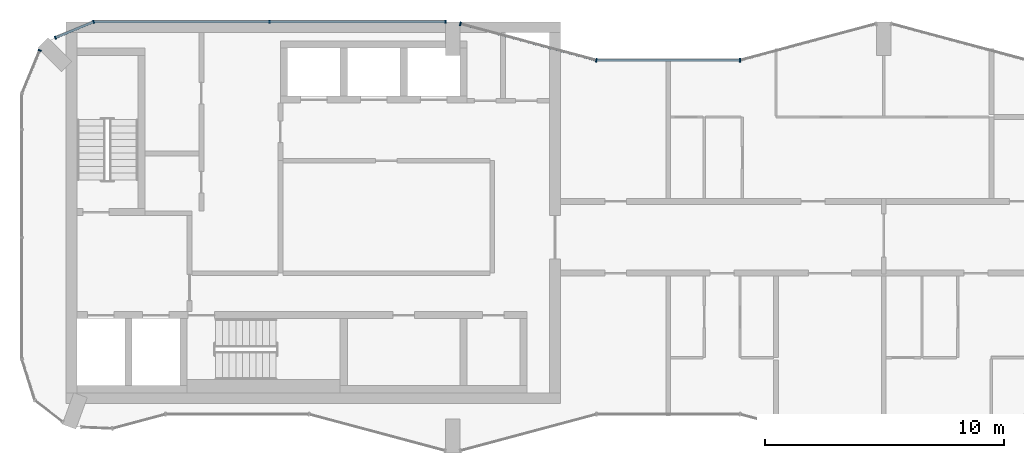
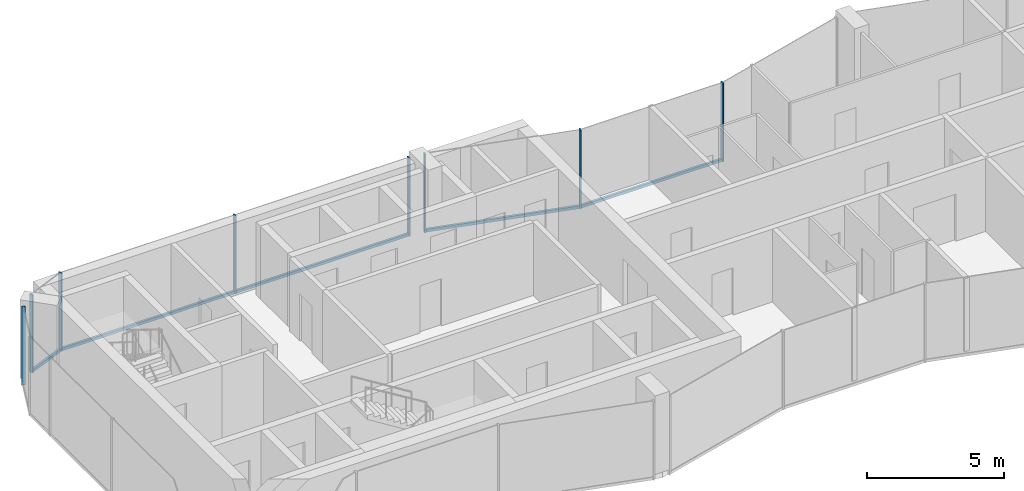
# One storey, part 4 of 10: 12 members, 5 elements without a shape of their own.
"""IFC4 building model written with IfcOpenShell, lengths in metres."""

import ifcopenshell
import ifcopenshell.guid

model = None  # the IFC model being written
_history = None  # IfcOwnerHistory: only IFC2X3 demands one
_inside = {}  # id of a spatial element -> (the spatial element, [elements in it])
_under = {}  # id of a project, library or spatial element -> (it, [spatial elements below it])
_declared = {}  # id of a project -> (the project, [libraries it declares])
_typed = {}  # id of a type object -> (the type object, [elements of that type])
_made_of = {}  # id of a material, layer set ... -> (it, [elements and type objects made of it])


def new_model(schema):
    """Start an empty IFC model of exactly this schema.

    Asked for "IFC4X3", IfcOpenShell would pick the latest addendum, in which some entities
    have other attributes; the version numbers below select the first issue.
    IFC2X3 requires an IfcOwnerHistory on every rooted entity: one is made here for all.
    """
    global model, _history
    if schema == "IFC4X3":
        model = ifcopenshell.file(schema_version=(4, 3, 0, 0))
    else:
        model = ifcopenshell.file(schema=schema)
    _inside.clear()
    _under.clear()
    _declared.clear()
    _typed.clear()
    _made_of.clear()
    _history = None
    if model.schema == "IFC2X3":
        org = make("IfcOrganization", Name="unknown")
        user = make(
            "IfcPersonAndOrganization",
            ThePerson=make("IfcPerson", FamilyName="unknown"),
            TheOrganization=org,
        )
        app = make(
            "IfcApplication",
            ApplicationDeveloper=org,
            Version="unknown",
            ApplicationFullName="unknown",
            ApplicationIdentifier="unknown",
        )
        _history = make(
            "IfcOwnerHistory",
            OwningUser=user,
            OwningApplication=app,
            ChangeAction="ADDED",
            CreationDate=0,
        )
    return model


def make(cls, **values):
    """One entity of the class cls with the attributes given. An attribute that is None is left unset."""
    return model.create_entity(
        cls, **{name: value for name, value in values.items() if value is not None}
    )


def rooted(cls, **values):
    """An entity with a GlobalId (a new one), such as an element, a storey or a relation."""
    return make(cls, GlobalId=ifcopenshell.guid.new(), OwnerHistory=_history, **values)


def si_unit(unit_type, name, prefix=None):
    """IfcSIUnit, for example si_unit("LENGTHUNIT", "METRE", prefix="MILLI")."""
    return make("IfcSIUnit", UnitType=unit_type, Prefix=prefix, Name=name)


def assignment(units):
    """IfcUnitAssignment: the units of a project."""
    return None if units is None else make("IfcUnitAssignment", Units=units)


def point(xyz):
    """IfcCartesianPoint."""
    return None if xyz is None else make("IfcCartesianPoint", Coordinates=xyz)


def direction(xyz):
    """IfcDirection."""
    return None if xyz is None else make("IfcDirection", DirectionRatios=xyz)


def frame(location, z_axis=None, x_axis=None):
    """IfcAxis2Placement3D, a coordinate frame: its origin and axes. An axis left out is left unset."""
    return make(
        "IfcAxis2Placement3D",
        Location=point(location),
        Axis=direction(z_axis),
        RefDirection=direction(x_axis),
    )


def frame_2d(location, x_axis=None):
    """IfcAxis2Placement2D, a coordinate frame in the plane: its origin and x axis."""
    return make(
        "IfcAxis2Placement2D", Location=point(location), RefDirection=direction(x_axis)
    )


def origin():
    """The frame at (0, 0, 0) with its axes left unset."""
    return frame((0.0, 0.0, 0.0))


def origin_2d():
    """The frame at (0, 0) in the plane with its x axis left unset."""
    return frame_2d((0.0, 0.0))


def place(relative_to, where):
    """IfcLocalPlacement: puts the frame where relative to a parent placement (None: the world)."""
    return make(
        "IfcLocalPlacement", PlacementRelTo=relative_to, RelativePlacement=where
    )


def context(
    kind, dimensions, precision=None, world=None, true_north=None, identifier=None
):
    """IfcGeometricRepresentationContext, for example the 3D "Model" context."""
    return make(
        "IfcGeometricRepresentationContext",
        ContextIdentifier=identifier,
        ContextType=kind,
        CoordinateSpaceDimension=dimensions,
        Precision=precision,
        WorldCoordinateSystem=world,
        TrueNorth=true_north,
    )


def subcontext(parent, identifier, kind, view, scale=None):
    """IfcGeometricRepresentationSubContext, for example "Body" below "Model"."""
    return make(
        "IfcGeometricRepresentationSubContext",
        ContextIdentifier=identifier,
        ContextType=kind,
        ParentContext=parent,
        TargetScale=scale,
        TargetView=view,
    )


def project(units=None, contexts=None):
    """IfcProject with its units and contexts."""
    return rooted(
        "IfcProject",
        Name="project",
        RepresentationContexts=contexts,
        UnitsInContext=assignment(units),
    )


def spatial(cls, under=None, at=None, **own):
    """A site, building, storey or space (cls), placed at a placement, below another one or the project."""
    s = rooted(cls, ObjectPlacement=at, **own)
    if under is not None:
        _under.setdefault(under.id(), (under, []))[1].append(s)
    return s


def profile(cls, at=None, kind="AREA", **sizes):
    """A parametric profile (cls). Its sizes go by their IFC names, for example OverallWidth=200.0."""
    return make(cls, ProfileType=kind, Position=at, **sizes)


def rectangle(**sizes):
    """IfcRectangleProfileDef."""
    return profile("IfcRectangleProfileDef", **sizes)


def extrude(swept, where, along, depth):
    """IfcExtrudedAreaSolid: the profile swept, set in the frame where, extruded along a direction by depth."""
    return make(
        "IfcExtrudedAreaSolid",
        SweptArea=swept,
        Position=where,
        ExtrudedDirection=direction(along),
        Depth=depth,
    )


def shape(context_of_items, identifier, shape_type, items):
    """IfcShapeRepresentation: the items that make up one representation, for example the "Body"."""
    return make(
        "IfcShapeRepresentation",
        ContextOfItems=context_of_items,
        RepresentationIdentifier=identifier,
        RepresentationType=shape_type,
        Items=items,
    )


def material(Name=None, Category=None):
    """IfcMaterial."""
    return make("IfcMaterial", Name=Name, Category=Category)


def layer(
    of_material, thickness, ventilated=None, Name=None, Category=None, Priority=None
):
    """IfcMaterialLayer: one layer of a wall or slab, of a material (None: an air gap)."""
    return make(
        "IfcMaterialLayer",
        Material=of_material,
        LayerThickness=thickness,
        IsVentilated=ventilated,
        Name=Name,
        Category=Category,
        Priority=Priority,
    )


def layer_set(layers, Name=None):
    """IfcMaterialLayerSet."""
    return make("IfcMaterialLayerSet", MaterialLayers=layers, LayerSetName=Name)


def material_profile(
    of_material, cross_section, Name=None, Category=None, Priority=None
):
    """IfcMaterialProfile: a cross section and its material."""
    return make(
        "IfcMaterialProfile",
        Name=Name,
        Material=of_material,
        Profile=cross_section,
        Priority=Priority,
        Category=Category,
    )


def profile_set(profiles, Name=None, composite=None):
    """IfcMaterialProfileSet."""
    return make(
        "IfcMaterialProfileSet",
        Name=Name,
        MaterialProfiles=profiles,
        CompositeProfile=composite,
    )


def made_of(thing, what):
    """Note that an element or type object is made of a material, layer set ...; save() writes the relation."""
    if what is not None:
        _made_of.setdefault(what.id(), (what, []))[1].append(thing)
    return thing


def type_object(cls, material=None, **own):
    """A type object (cls), such as IfcWallType, which elements share."""
    return made_of(rooted(cls, **own), material)


def element(
    cls,
    number,
    at=None,
    inside=None,
    cuts=None,
    type_object=None,
    material=None,
    context=None,
    identifier="Body",
    shape_type=None,
    held_by="IfcProductDefinitionShape",
    body=None,
    shapes=None,
    **own,
):
    """One element of the class cls, such as IfcWall. Its Tag is "e" and its number.

    at: its placement. inside: the storey or other place that contains it. cuts: it is an
    opening in that element (IfcRelVoidsElement). A single representation is given by context,
    identifier, shape_type and body (its items); several are given by shapes. held_by: the class
    of the entity that holds the representations. save() writes the other relations.
    """
    e = rooted(cls, Tag="e%d" % number, ObjectPlacement=at, **own)
    if body is not None:
        shapes = [shape(context, identifier, shape_type, body)]
    if shapes is not None:
        e.Representation = make(held_by, Representations=shapes)
    if inside is not None:
        _inside.setdefault(inside.id(), (inside, []))[1].append(e)
    if cuts is not None:
        rooted(
            "IfcRelVoidsElement", RelatingBuildingElement=cuts, RelatedOpeningElement=e
        )
    if type_object is not None:
        _typed.setdefault(type_object.id(), (type_object, []))[1].append(e)
    return made_of(e, material)


def aggregate(whole, parts):
    """IfcRelAggregates: a whole, such as a stair, and the parts it consists of."""
    return rooted("IfcRelAggregates", RelatingObject=whole, RelatedObjects=parts)


def save(model, path):
    """Write the relations noted so far, then the file.

    IfcRelAggregates (storeys below a building ...), IfcRelContainedInSpatialStructure (elements
    in a storey), IfcRelDefinesByType, IfcRelAssociatesMaterial and IfcRelDeclares: one each for
    every whole, place, type object, material and project.
    """
    for whole, parts in _under.values():
        aggregate(whole, parts)
    for where, things in _inside.values():
        rooted(
            "IfcRelContainedInSpatialStructure",
            RelatedElements=things,
            RelatingStructure=where,
        )
    for kind, things in _typed.values():
        rooted("IfcRelDefinesByType", RelatedObjects=things, RelatingType=kind)
    for what, things in _made_of.values():
        rooted("IfcRelAssociatesMaterial", RelatedObjects=things, RelatingMaterial=what)
    for by, libraries in _declared.values():
        rooted("IfcRelDeclares", RelatingContext=by, RelatedDefinitions=libraries)
    model.write(path)


model = new_model("IFC4")

# Units and contexts
model_context = context("Model", 3, precision=1e-05, world=origin(), true_north=direction((0.0, 1.0)))
body_context = subcontext(model_context, "Body", "Model", "MODEL_VIEW")
ifc_project = project(units=[si_unit("LENGTHUNIT", "METRE"), si_unit("AREAUNIT", "SQUARE_METRE"), si_unit("VOLUMEUNIT", "CUBIC_METRE"), si_unit("PLANEANGLEUNIT", "RADIAN"), si_unit("MASSUNIT", "GRAM", prefix="KILO")], contexts=[model_context])

# Site, building, storey
site_placement = place(None, origin())
site = spatial("IfcSite", under=ifc_project, at=site_placement, CompositionType="ELEMENT")
building_placement = place(site_placement, origin())
building = spatial("IfcBuilding", under=site, at=building_placement, Name="Plateau Cross Towers", CompositionType="ELEMENT")
storey_placement = place(building_placement, frame((0.0, 0.0, 273.89990234375)))
storey = spatial("IfcBuildingStorey", under=building, at=storey_placement, Name="L72", CompositionType="ELEMENT", Elevation=273.89990234375)

# Curtain wall, members
ifc_material_1 = material(Name="Dark low-iron glass", Category="glass")
ifc_layer_1 = layer(ifc_material_1, 0.239990234375)
ifc_layer_set_1 = layer_set([ifc_layer_1], Name="Dark low-iron glass")
curtain_wall_type_1 = type_object("IfcCurtainWallType", Name="Curtain wall flush unitised CW-B", PredefinedType="NOTDEFINED", material=ifc_layer_set_1)
curtain_wall_1_placement = place(storey_placement, origin())
curtain_wall_1 = element("IfcCurtainWall", 1, at=curtain_wall_1_placement, inside=storey, type_object=curtain_wall_type_1, Name="ENV/A/L72/A177_180", PredefinedType="NOTDEFINED")
ifc_material_2 = material(Name="Black anodised aluminium", Category="aluminium")
ifc_material_profile_1 = material_profile(ifc_material_2, rectangle(XDim=0.06005859375, YDim=0.139892578125, at=origin_2d()), Name="MULLION 60x140")
ifc_profile_set_1 = profile_set([ifc_material_profile_1], Name="Black anodised aluminium")
member_type_1 = type_object("IfcMemberType", Name="Mullion 60x140 flush unitised", PredefinedType="MULLION", material=ifc_profile_set_1)
member_1_placement = place(storey_placement, frame((17.699951171875, 18.0, -0.25), z_axis=(0.0, 0.0, 1.0), x_axis=(-1.0, 0.0, 0.0)))
member_1 = element("IfcMember", 2, at=member_1_placement, type_object=member_type_1, Name="CW-B mullion 1", PredefinedType="MULLION", context=body_context, shape_type="SweptSolid", body=[
    extrude(rectangle(XDim=0.06005859375, YDim=0.139892578125, at=origin_2d()), origin(), (0.0, 0.0, 1.0), 3.5),
])
member_2_placement = place(storey_placement, frame((10.35009765625, 18.0, -0.25), z_axis=(0.0, 0.0, 1.0), x_axis=(-1.0, 0.0, 0.0)))
member_2 = element("IfcMember", 3, at=member_2_placement, type_object=member_type_1, Name="CW-B mullion 2", PredefinedType="MULLION", context=body_context, shape_type="SweptSolid", body=[
    extrude(rectangle(XDim=0.06005859375, YDim=0.139892578125, at=origin_2d()), origin(), (0.0, 0.0, 1.0), 3.5),
])

curtain_wall_2_placement = place(storey_placement, origin())
curtain_wall_2 = element("IfcCurtainWall", 4, at=curtain_wall_2_placement, inside=storey, type_object=curtain_wall_type_1, Name="ENV/A/L72/A30_180", PredefinedType="NOTDEFINED")
member_3_placement = place(storey_placement, frame((3.0, 18.0, -0.25), z_axis=(0.0, 0.0, 1.0), x_axis=(-0.923879457699, -0.382683612978, 0.0)))
member_3 = element("IfcMember", 5, at=member_3_placement, type_object=member_type_1, Name="CW-B mullion 1", PredefinedType="MULLION", context=body_context, shape_type="SweptSolid", body=[
    extrude(rectangle(XDim=0.06005859375, YDim=0.139892578125, at=origin_2d()), origin(), (0.0, 0.0, 1.0), 3.5),
])
member_4_placement = place(storey_placement, frame((1.4033203125, 17.338623046875, -0.25), z_axis=(0.0, 0.0, 1.0), x_axis=(-0.923879457699, -0.382683612978, 0.0)))
member_4 = element("IfcMember", 6, at=member_4_placement, type_object=member_type_1, Name="CW-B mullion 2", PredefinedType="MULLION", context=body_context, shape_type="SweptSolid", body=[
    extrude(rectangle(XDim=0.06005859375, YDim=0.139892578125, at=origin_2d()), origin(), (0.0, 0.0, 1.0), 3.5),
])

# Curtain wall, member
curtain_wall_3_placement = place(storey_placement, origin())
curtain_wall_3 = element("IfcCurtainWall", 7, at=curtain_wall_3_placement, inside=storey, type_object=curtain_wall_type_1, Name="ENV/A/L72/A7_168", PredefinedType="NOTDEFINED")
member_5_placement = place(storey_placement, frame((0.748046875, 16.805908203125, -0.25), z_axis=(0.0, 0.0, 1.0), x_axis=(-0.382683612978, -0.923879457699, 0.0)))
member_5 = element("IfcMember", 8, at=member_5_placement, type_object=member_type_1, Name="CW-B mullion 1", PredefinedType="MULLION", context=body_context, shape_type="SweptSolid", body=[
    extrude(rectangle(XDim=0.06005859375, YDim=0.139892578125, at=origin_2d()), origin(), (0.0, 0.0, 1.0), 3.5),
])
aggregate(curtain_wall_3, [member_5])

ifc_layer_2 = layer(ifc_material_1, 0.260009765625)
ifc_layer_set_2 = layer_set([ifc_layer_2], Name="Dark low-iron glass")
curtain_wall_type_2 = type_object("IfcCurtainWallType", Name="Curtain wall fluted unitised CW-A", PredefinedType="NOTDEFINED", material=ifc_layer_set_2)
curtain_wall_4_placement = place(storey_placement, origin())
curtain_wall_4 = element("IfcCurtainWall", 9, at=curtain_wall_4_placement, inside=storey, type_object=curtain_wall_type_2, Name="ENV/A/L72/A300_164", PredefinedType="NOTDEFINED")
ifc_material_profile_2 = material_profile(ifc_material_2, rectangle(XDim=0.06005859375, YDim=0.159912109375, at=origin_2d()), Name="MULLION 60x160")
ifc_profile_set_2 = profile_set([ifc_material_profile_2], Name="Black anodised aluminium")
member_type_2 = type_object("IfcMemberType", Name="Mullion 60x160 fluted unitised", PredefinedType="MULLION", material=ifc_profile_set_2)
member_6_placement = place(storey_placement, frame((30.0, 16.39306640625, -0.25), z_axis=(0.0, 0.0, 1.0), x_axis=(-1.0, 0.0, 0.0)))
member_6 = element("IfcMember", 10, at=member_6_placement, type_object=member_type_2, Name="CW-A mullion 1", PredefinedType="MULLION", context=body_context, shape_type="SweptSolid", body=[
    extrude(rectangle(XDim=0.06005859375, YDim=0.159912109375, at=origin_2d()), origin(), (0.0, 0.0, 1.0), 3.5),
])

# Curtain wall, members
curtain_wall_5_placement = place(storey_placement, origin())
curtain_wall_5 = element("IfcCurtainWall", 11, at=curtain_wall_5_placement, inside=storey, type_object=curtain_wall_type_2, Name="ENV/A/L72/A240_164", PredefinedType="NOTDEFINED")
member_7_placement = place(storey_placement, frame((24.0, 16.39306640625, -0.25), z_axis=(0.0, 0.0, 1.0), x_axis=(-0.965957983404, 0.258699003279, 0.0)))
member_7 = element("IfcMember", 12, at=member_7_placement, type_object=member_type_2, Name="CW-A mullion 1", PredefinedType="MULLION", context=body_context, shape_type="SweptSolid", body=[
    extrude(rectangle(XDim=0.06005859375, YDim=0.159912109375, at=origin_2d()), origin(), (0.0, 0.0, 1.0), 3.5),
])
member_8_placement = place(storey_placement, frame((18.31787109375, 17.914794921875, -0.25), z_axis=(0.0, 0.0, 1.0), x_axis=(-0.965957983404, 0.258699003279, 0.0)))
member_8 = element("IfcMember", 13, at=member_8_placement, type_object=member_type_2, Name="CW-A mullion 2", PredefinedType="MULLION", context=body_context, shape_type="SweptSolid", body=[
    extrude(rectangle(XDim=0.06005859375, YDim=0.159912109375, at=origin_2d()), origin(), (0.0, 0.0, 1.0), 3.5),
])

# Member
ifc_material_profile_3 = material_profile(ifc_material_2, rectangle(XDim=0.10009765625, YDim=0.1201171875, at=origin_2d()), Name="TRANSOM 100x120")
ifc_profile_set_3 = profile_set([ifc_material_profile_3], Name="Black anodised aluminium")
member_type_3 = type_object("IfcMemberType", Name="Transom 100x120 flush unitised", PredefinedType="USERDEFINED", material=ifc_profile_set_3)
member_9_placement = place(storey_placement, frame((17.699951171875, 18.0, -0.18994140625), z_axis=(-1.0, 0.0, 0.0), x_axis=(0.0, -1.0, 0.0)))
member_9 = element("IfcMember", 14, at=member_9_placement, type_object=member_type_3, Name="CW-B transom", ObjectType="TRANSOM", PredefinedType="USERDEFINED", context=body_context, shape_type="SweptSolid", body=[
    extrude(rectangle(XDim=0.10009765625, YDim=0.1201171875, at=origin_2d()), origin(), (0.0, 0.0, 1.0), 14.699951171875),
])

aggregate(curtain_wall_1, [member_1, member_2, member_9])

member_10_placement = place(storey_placement, frame((3.0, 18.0, -0.18994140625), z_axis=(-0.923877369776, -0.382688653628, 0.0), x_axis=(0.382688653628, -0.923877369776, 0.0)))
member_10 = element("IfcMember", 15, at=member_10_placement, type_object=member_type_3, Name="CW-B transom", ObjectType="TRANSOM", PredefinedType="USERDEFINED", context=body_context, shape_type="SweptSolid", body=[
    extrude(rectangle(XDim=0.10009765625, YDim=0.1201171875, at=origin_2d()), origin(), (0.0, 0.0, 1.0), 1.728271484375),
])

aggregate(curtain_wall_2, [member_3, member_4, member_10])

ifc_material_profile_4 = material_profile(ifc_material_2, rectangle(XDim=0.10009765625, YDim=0.1201171875, at=origin_2d()), Name="TRANSOM 100x120")
ifc_profile_set_4 = profile_set([ifc_material_profile_4], Name="Black anodised aluminium")
member_type_4 = type_object("IfcMemberType", Name="Transom 100x120 fluted unitised", PredefinedType="USERDEFINED", material=ifc_profile_set_4)
member_11_placement = place(storey_placement, frame((30.0, 16.39306640625, -0.18994140625), z_axis=(-1.0, 0.0, 0.0), x_axis=(0.0, -1.0, 0.0)))
member_11 = element("IfcMember", 16, at=member_11_placement, type_object=member_type_4, Name="CW-A transom", ObjectType="TRANSOM", PredefinedType="USERDEFINED", context=body_context, shape_type="SweptSolid", body=[
    extrude(rectangle(XDim=0.10009765625, YDim=0.1201171875, at=origin_2d()), origin(), (0.0, 0.0, 1.0), 6.0),
])

aggregate(curtain_wall_4, [member_6, member_11])

member_12_placement = place(storey_placement, frame((24.0, 16.39306640625, -0.18994140625), z_axis=(-0.965959534794, 0.258693210465, 0.0), x_axis=(-0.258693210465, -0.965959534794, 0.0)))
member_12 = element("IfcMember", 17, at=member_12_placement, type_object=member_type_4, Name="CW-A transom", ObjectType="TRANSOM", PredefinedType="USERDEFINED", context=body_context, shape_type="SweptSolid", body=[
    extrude(rectangle(XDim=0.10009765625, YDim=0.1201171875, at=origin_2d()), origin(), (0.0, 0.0, 1.0), 5.88232421875),
])

aggregate(curtain_wall_5, [member_7, member_8, member_12])

save(model, "model.ifc")
